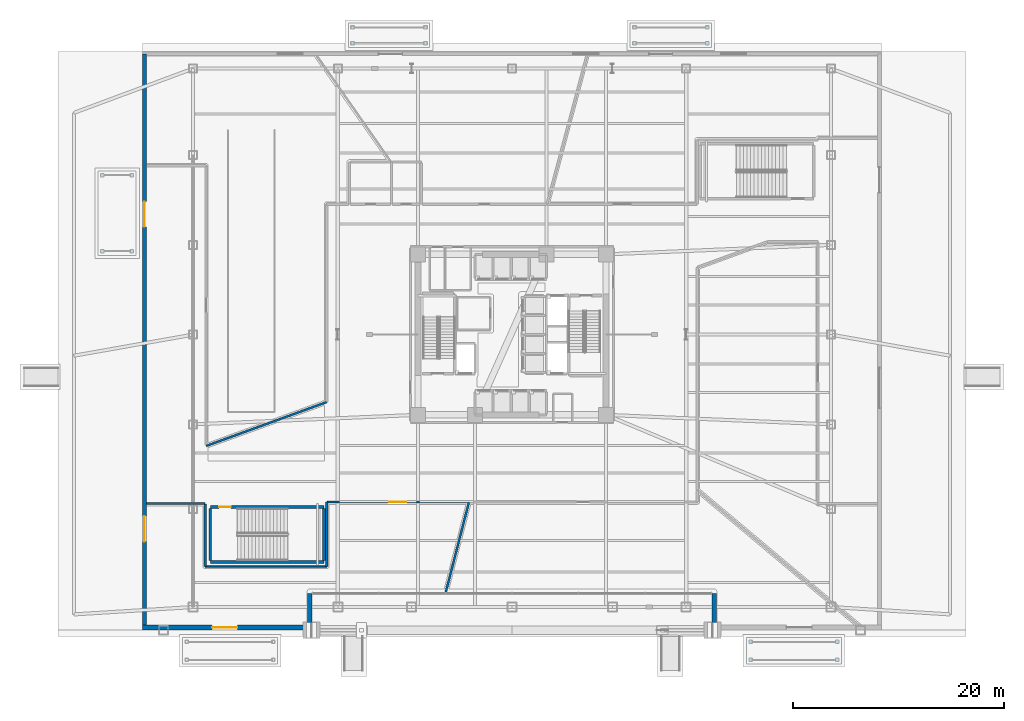
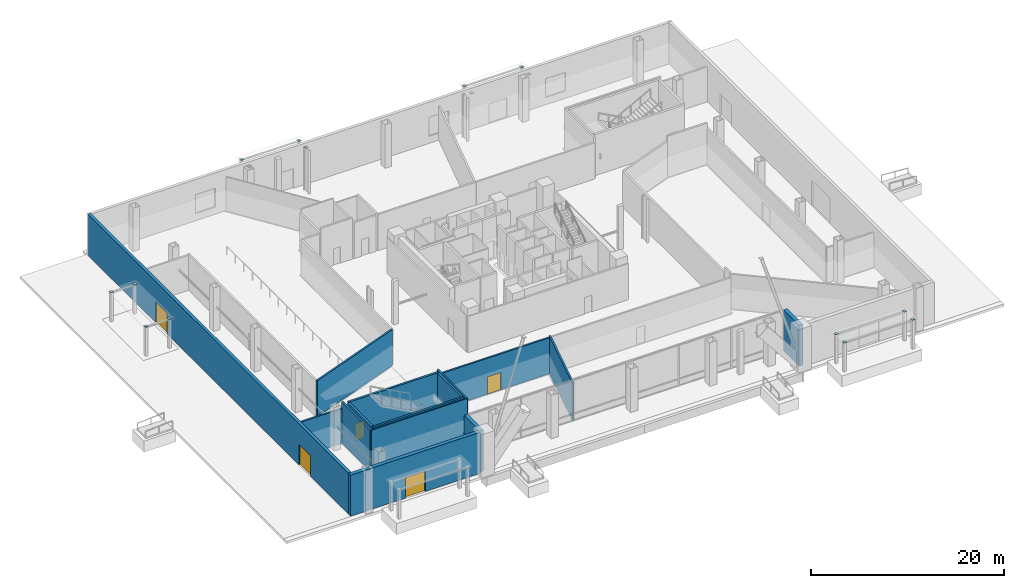
# One storey, part 14 of 27: 16 plates, 15 walls, 5 doors, 5 openings.
"""IFC4 building model written with IfcOpenShell, lengths in metres."""

from ifc_helpers import new_model, si_unit, direction, frame, frame_2d, origin, origin_2d, place, context, subcontext, project, spatial, rectangle, extrude, material, layer, layer_set, type_object, element, fill, save


model = new_model("IFC4")

# Units and contexts
model_context = context("Model", 3, precision=1e-05, world=origin(), true_north=direction((0.0, 1.0)))
body_context = subcontext(model_context, "Body", "Model", "MODEL_VIEW")
ifc_project = project(units=[si_unit("LENGTHUNIT", "METRE"), si_unit("AREAUNIT", "SQUARE_METRE"), si_unit("VOLUMEUNIT", "CUBIC_METRE"), si_unit("PLANEANGLEUNIT", "RADIAN"), si_unit("MASSUNIT", "GRAM", prefix="KILO")], contexts=[model_context])

# Site, building, storey
site_placement = place(None, origin())
site = spatial("IfcSite", under=ifc_project, at=site_placement, CompositionType="ELEMENT")
building_placement = place(site_placement, origin())
building = spatial("IfcBuilding", under=site, at=building_placement, Name="Tharavind Bronze Gate", CompositionType="ELEMENT")
storey_placement = place(building_placement, origin())
storey = spatial("IfcBuildingStorey", under=building, at=storey_placement, Name="L00", CompositionType="ELEMENT", Elevation=0.0)

# Plates
ifc_material_1 = material(Name="Steel S355", Category="steel")
ifc_layer_1 = layer(ifc_material_1, 0.02490234375)
ifc_layer_set_1 = layer_set([ifc_layer_1], Name="Steel S355")
plate_type = type_object("IfcPlateType", Name="STEEL END CAP SHEET S355 25", PredefinedType="SHEET", material=ifc_layer_set_1)
for number, where, z_axis, x_axis, name in (
    (1, (22.60009765625, -30.800048828125, 3.6875), (0.0, 0.0, 1.0), (1.0, 0.0, 0.0), "Steel end cap plate CAP-L00-CN2A"),
    (2, (30.800048828125, -30.800048828125, 3.6875), (0.0, 0.0, 1.0), (1.0, 0.0, 0.0), "Steel end cap plate CAP-L00-CN2B"),
    (3, (30.800048828125, -29.10009765625, 3.6875), (0.0, 0.0, 1.0), (1.0, 0.0, 0.0), "Steel end cap plate CAP-L00-CN2C"),
    (4, (22.60009765625, -29.10009765625, 3.6875), (0.0, 0.0, 1.0), (1.0, 0.0, 0.0), "Steel end cap plate CAP-L00-CN2D"),
    (5, (-15.10009765625, 27.60009765625, 3.6875), (0.0, 0.0, 1.0), (1.0, 0.0, 0.0), "Steel end cap plate CAP-L00-CN3A"),
    (6, (-8.199951171875, 27.60009765625, 3.6875), (0.0, 0.0, 1.0), (1.0, 0.0, 0.0), "Steel end cap plate CAP-L00-CN3B"),
    (7, (-8.199951171875, 29.10009765625, 3.6875), (0.0, 0.0, 1.0), (1.0, 0.0, 0.0), "Steel end cap plate CAP-L00-CN3C"),
    (8, (-15.10009765625, 29.10009765625, 3.6875), (0.0, 0.0, 1.0), (1.0, 0.0, 0.0), "Steel end cap plate CAP-L00-CN3D"),
    (9, (11.60009765625, 27.60009765625, 3.6875), (0.0, 0.0, 1.0), (1.0, 0.0, 0.0), "Steel end cap plate CAP-L00-CN4A"),
    (10, (18.5, 27.60009765625, 3.6875), (0.0, 0.0, 1.0), (1.0, 0.0, 0.0), "Steel end cap plate CAP-L00-CN4B"),
    (11, (18.5, 29.10009765625, 3.6875), (0.0, 0.0, 1.0), (1.0, 0.0, 0.0), "Steel end cap plate CAP-L00-CN4C"),
    (12, (11.60009765625, 29.10009765625, 3.6875), (0.0, 0.0, 1.0), (1.0, 0.0, 0.0), "Steel end cap plate CAP-L00-CN4D"),
    (13, (-38.800048828125, 7.89990234375, 3.6875), (0.0, 0.0, 1.0), (1.0, 0.0, 0.0), "Steel end cap plate CAP-L00-CN5A"),
    (14, (-36.0, 7.89990234375, 3.6875), (0.0, 0.0, 1.0), (1.0, 0.0, 0.0), "Steel end cap plate CAP-L00-CN5B"),
    (15, (-36.0, 15.10009765625, 3.6875), (0.0, 0.0, 1.0), (1.0, 0.0, 0.0), "Steel end cap plate CAP-L00-CN5C"),
    (16, (-38.800048828125, 15.10009765625, 3.6875), (0.0, 0.0, 1.0), (1.0, 0.0, 0.0), "Steel end cap plate CAP-L00-CN5D"),
):
    element("IfcPlate", number, at=place(storey_placement, frame(where, z_axis=z_axis, x_axis=x_axis)), inside=storey, type_object=plate_type, Name=name, PredefinedType="SHEET", context=body_context, shape_type="SweptSolid", body=[
        extrude(rectangle(XDim=0.344970703125, YDim=0.344970703125, at=origin_2d()), origin(), (0.0, 0.0, 1.0), 0.02490234375),
    ])

# Wall, openings, doors
ifc_material_2 = material(Name="Concrete C40/50", Category="concrete")
ifc_layer_2 = layer(ifc_material_2, 0.35009765625)
ifc_layer_set_2 = layer_set([ifc_layer_2], Name="Concrete C40/50")
wall_type_1 = type_object("IfcWallType", Name="EXTERIOR SPANDREL WALL 350", PredefinedType="STANDARD", material=ifc_layer_set_2)
wall_1_placement = place(storey_placement, frame((-34.800048828125, 26.60009765625, 0.0), z_axis=(0.0, 0.0, 1.0), x_axis=(0.0, -1.0, 0.0)))
wall_1 = element("IfcWall", 17, at=wall_1_placement, inside=storey, type_object=wall_type_1, Name="L00 podium west facade wall", PredefinedType="STANDARD", context=body_context, shape_type="SweptSolid", body=[
    extrude(rectangle(XDim=54.35009765625, YDim=0.35009765625, at=frame_2d((27.175048828125, 0.0))), origin(), (0.0, 0.0, 1.0), 5.219970703125),
])
opening_1_placement = place(wall_1_placement, frame((14.0, 0.0, 0.0)))
opening_1 = element("IfcOpeningElement", 18, at=opening_1_placement, cuts=wall_1, Name="Opening ED01", PredefinedType="OPENING", context=body_context, shape_type="SweptSolid", body=[
    extrude(rectangle(XDim=2.39990234375, YDim=2.60009765625, at=frame_2d((1.199951171875, 1.300048828125))), frame((0.0, 0.185048828125, 0.0), z_axis=(0.0, -1.0, 0.0), x_axis=(1.0, 0.0, 0.0)), (0.0, 0.0, 1.0), 0.37009765625),
])
opening_2_placement = place(wall_1_placement, frame((43.800048828125, 0.0, 0.0)))
opening_2 = element("IfcOpeningElement", 19, at=opening_2_placement, cuts=wall_1, Name="Opening ED01", PredefinedType="OPENING", context=body_context, shape_type="SweptSolid", body=[
    extrude(rectangle(XDim=2.39990234375, YDim=2.60009765625, at=frame_2d((1.199951171875, 1.300048828125))), frame((0.0, 0.185048828125, 0.0), z_axis=(0.0, -1.0, 0.0), x_axis=(1.0, 0.0, 0.0)), (0.0, 0.0, 1.0), 0.37009765625),
])
ifc_material_3 = material(Name="Bronze Aluminium & Toughened Glass", Category="aluminium")
door_type_1 = type_object("IfcDoorType", Name="BRONZE DOUBLE ENTRANCE DOOR 2400X2600", OperationType="DOUBLE_DOOR_DOUBLE_SWING", PredefinedType="DOOR", material=ifc_material_3)
door_1_placement = place(opening_1_placement, frame((2.39990234375, 0.0, 0.0), z_axis=(0.0, 0.0, 1.0), x_axis=(-1.0, 0.0, 0.0)))
door_1 = element("IfcDoor", 20, at=door_1_placement, inside=storey, type_object=door_type_1, Name="West plaza retail entrance door", OperationType="DOUBLE_DOOR_DOUBLE_SWING", OverallHeight=2.60009765625, OverallWidth=2.39990234375, PredefinedType="DOOR", context=body_context, shape_type="SweptSolid", body=[
    extrude(rectangle(XDim=2.39990234375, YDim=2.60009765625, at=frame_2d((1.199951171875, 1.300048828125))), frame((0.0, 0.02490234375, 0.0), z_axis=(0.0, -1.0, 0.0), x_axis=(1.0, 0.0, 0.0)), (0.0, 0.0, 1.0), 0.050048828125),
])
fill(opening_1, door_1)
door_2_placement = place(opening_2_placement, frame((2.39990234375, 0.0, 0.0), z_axis=(0.0, 0.0, 1.0), x_axis=(-1.0, 0.0, 0.0)))
door_2 = element("IfcDoor", 21, at=door_2_placement, inside=storey, type_object=door_type_1, Name="West stair ST3 final discharge exit door", OperationType="DOUBLE_DOOR_DOUBLE_SWING", OverallHeight=2.60009765625, OverallWidth=2.39990234375, PredefinedType="DOOR", context=body_context, shape_type="SweptSolid", body=[
    extrude(rectangle(XDim=2.39990234375, YDim=2.60009765625, at=frame_2d((1.199951171875, 1.300048828125))), frame((0.0, 0.02490234375, 0.0), z_axis=(0.0, -1.0, 0.0), x_axis=(1.0, 0.0, 0.0)), (0.0, 0.0, 1.0), 0.050048828125),
])
fill(opening_2, door_2)

# Wall, opening, door
ifc_material_4 = material(Name="Concrete C50/60", Category="concrete")
ifc_layer_3 = layer(ifc_material_4, 0.449951171875)
ifc_layer_set_3 = layer_set([ifc_layer_3], Name="Concrete C50/60")
wall_type_2 = type_object("IfcWallType", Name="EXTERIOR SPANDREL WALL 450", PredefinedType="STANDARD", material=ifc_layer_set_3)
wall_2_placement = place(storey_placement, frame((-35.0, -27.75, 0.0), z_axis=(0.0, 0.0, 1.0), x_axis=(1.0, 0.0, 0.0)))
wall_2 = element("IfcWall", 22, at=wall_2_placement, inside=storey, type_object=wall_type_2, Name="L00 south portal west flank wall", PredefinedType="STANDARD", context=body_context, shape_type="SweptSolid", body=[
    extrude(rectangle(XDim=15.60009765625, YDim=0.449951171875, at=frame_2d((7.800048828125, 0.0))), origin(), (0.0, 0.0, 1.0), 5.219970703125),
])
opening_3_placement = place(wall_2_placement, frame((6.60009765625, 0.0, 0.0)))
opening_3 = element("IfcOpeningElement", 23, at=opening_3_placement, cuts=wall_2, Name="Opening ED01", PredefinedType="OPENING", context=body_context, shape_type="SweptSolid", body=[
    extrude(rectangle(XDim=2.39990234375, YDim=2.60009765625, at=frame_2d((1.199951171875, 1.300048828125))), frame((0.0, 0.23509765625, 0.0), z_axis=(0.0, -1.0, 0.0), x_axis=(1.0, 0.0, 0.0)), (0.0, 0.0, 1.0), 0.469951171875),
])
door_3_placement = place(opening_3_placement, frame((2.39990234375, 0.0, 0.0), z_axis=(0.0, 0.0, 1.0), x_axis=(-1.0, 0.0, 0.0)))
door_3 = element("IfcDoor", 24, at=door_3_placement, inside=storey, type_object=door_type_1, Name="South west arrival portal entrance door", OperationType="DOUBLE_DOOR_DOUBLE_SWING", OverallHeight=2.60009765625, OverallWidth=2.39990234375, PredefinedType="DOOR", context=body_context, shape_type="SweptSolid", body=[
    extrude(rectangle(XDim=2.39990234375, YDim=2.60009765625, at=frame_2d((1.199951171875, 1.300048828125))), frame((0.0, 0.02490234375, 0.0), z_axis=(0.0, -1.0, 0.0), x_axis=(1.0, 0.0, 0.0)), (0.0, 0.0, 1.0), 0.050048828125),
])
fill(opening_3, door_3)

# Walls
for number, where, z_axis, x_axis, name in (
    (25, (-19.14990234375, -27.75, 0.0), (0.0, 0.0, 1.0), (0.0, 1.0, 0.0), "L00 south arch west reveal wall"),
    (26, (19.14990234375, -24.5, 0.0), (0.0, 0.0, 1.0), (0.0, -1.0, 0.0), "L00 south arch east reveal wall"),
):
    element("IfcWall", number, at=place(storey_placement, frame(where, z_axis=z_axis, x_axis=x_axis)), inside=storey, type_object=wall_type_2, Name=name, PredefinedType="STANDARD", context=body_context, shape_type="SweptSolid", body=[
        extrude(rectangle(XDim=3.25, YDim=0.449951171875, at=frame_2d((1.625, 0.0))), origin(), (0.0, 0.0, 1.0), 5.219970703125),
    ])
ifc_material_5 = material(Name="Aerated Concrete Block", Category="concrete")
ifc_layer_4 = layer(ifc_material_5, 0.199951171875)
ifc_layer_set_4 = layer_set([ifc_layer_4], Name="Aerated Concrete Block")
wall_type_3 = type_object("IfcWallType", Name="FIRE RATED PARTITION 200", PredefinedType="PARTITIONING", material=ifc_layer_set_4)
wall_3_placement = place(storey_placement, frame((-17.56640625, -6.393798828125, 0.0), z_axis=(0.0, 0.0, 1.0), x_axis=(-0.93969408329, -0.342016125102, 0.0)))
element("IfcWall", 27, at=wall_3_placement, inside=storey, type_object=wall_type_3, Name="L00 North Concourse Cafe partition", PredefinedType="PARTITIONING", context=body_context, shape_type="SweptSolid", body=[
    extrude(rectangle(XDim=12.131591796875, YDim=0.199951171875, at=frame_2d((6.06591796875, 0.0))), origin(), (0.0, 0.0, 1.0), 4.56494140625),
])
wall_4_placement = place(storey_placement, frame((-17.550048828125, -21.949462890625, 0.0), z_axis=(0.0, 0.0, 1.0), x_axis=(0.0, 1.0, 0.0)))
element("IfcWall", 28, at=wall_4_placement, inside=storey, type_object=wall_type_3, Name="L00 West Arcade Boutique Shop partition", PredefinedType="PARTITIONING", context=body_context, shape_type="SweptSolid", body=[
    extrude(rectangle(XDim=6.074462890625, YDim=0.199951171875, at=frame_2d((3.037109375, 0.0))), origin(), (0.0, 0.0, 1.0), 5.219970703125),
])

# Wall, opening, door
wall_5_placement = place(storey_placement, frame((-17.52490234375, -15.85009765625, 0.0), z_axis=(0.0, 0.0, 1.0), x_axis=(1.0, 0.0, 0.0)))
wall_5 = element("IfcWall", 29, at=wall_5_placement, inside=storey, type_object=wall_type_3, Name="L00 West Arcade Boutique Shop partition", PredefinedType="PARTITIONING", context=body_context, shape_type="SweptSolid", body=[
    extrude(rectangle(XDim=13.417236328125, YDim=0.199951171875, at=frame_2d((6.70849609375, 0.0))), origin(), (0.0, 0.0, 1.0), 4.56494140625),
])
opening_4_placement = place(wall_5_placement, frame((5.908935546875, 0.0, 0.0)))
opening_4 = element("IfcOpeningElement", 30, at=opening_4_placement, cuts=wall_5, Name="Opening ID02", PredefinedType="OPENING", context=body_context, shape_type="SweptSolid", body=[
    extrude(rectangle(XDim=1.60009765625, YDim=2.199951171875, at=frame_2d((0.800048828125, 1.10009765625))), frame((0.0, 0.11009765625, 0.0), z_axis=(0.0, -1.0, 0.0), x_axis=(1.0, 0.0, 0.0)), (0.0, 0.0, 1.0), 0.219951171875),
])
ifc_material_6 = material(Name="Fire-Rated Bronze Steel", Category="steel")
door_type_2 = type_object("IfcDoorType", Name="LOBBY DOUBLE FIRE DOOR 1600X2200", OperationType="DOUBLE_DOOR_SINGLE_SWING", PredefinedType="DOOR", material=ifc_material_6)
door_4_placement = place(opening_4_placement, frame((1.60009765625, 0.0, 0.0), z_axis=(0.0, 0.0, 1.0), x_axis=(-1.0, 0.0, 0.0)))
door_4 = element("IfcDoor", 31, at=door_4_placement, inside=storey, type_object=door_type_2, Name="L00 West Arcade Boutique Shop door", OperationType="DOUBLE_DOOR_SINGLE_SWING", OverallHeight=2.199951171875, OverallWidth=1.60009765625, PredefinedType="DOOR", context=body_context, shape_type="SweptSolid", body=[
    extrude(rectangle(XDim=1.60009765625, YDim=2.199951171875, at=frame_2d((0.800048828125, 1.10009765625))), frame((0.0, 0.02490234375, 0.0), z_axis=(0.0, -1.0, 0.0), x_axis=(1.0, 0.0, 0.0)), (0.0, 0.0, 1.0), 0.050048828125),
])
fill(opening_4, door_4)

# Walls
wall_6_placement = place(storey_placement, frame((-4.08349609375, -15.881103515625, 0.0), z_axis=(0.0, 0.0, 1.0), x_axis=(-0.249017512962, -0.968498982053, 0.0)))
element("IfcWall", 32, at=wall_6_placement, inside=storey, type_object=wall_type_3, Name="L00 West Arcade Boutique Shop partition", PredefinedType="PARTITIONING", context=body_context, shape_type="SweptSolid", body=[
    extrude(rectangle(XDim=8.899169921875, YDim=0.199951171875, at=frame_2d((4.44970703125, 0.0))), origin(), (0.0, 0.0, 1.0), 4.764892578125),
])
wall_7_placement = place(storey_placement, frame((-34.6201171875, -16.0, 0.0), z_axis=(0.0, 0.0, 1.0), x_axis=(1.0, 0.0, 0.0)))
element("IfcWall", 33, at=wall_7_placement, inside=storey, type_object=wall_type_3, Name="L00 West Arcade Boutique Shop partition", PredefinedType="PARTITIONING", context=body_context, shape_type="SweptSolid", body=[
    extrude(rectangle(XDim=5.545166015625, YDim=0.199951171875, at=frame_2d((2.7724609375, 0.0))), origin(), (0.0, 0.0, 1.0), 4.4150390625),
])
wall_8_placement = place(storey_placement, frame((-29.050048828125, -16.02490234375, 0.0), z_axis=(0.0, 0.0, 1.0), x_axis=(0.0, -1.0, 0.0)))
element("IfcWall", 34, at=wall_8_placement, inside=storey, type_object=wall_type_3, Name="L00 West Arcade Boutique Shop partition", PredefinedType="PARTITIONING", context=body_context, shape_type="SweptSolid", body=[
    extrude(rectangle(XDim=5.924560546875, YDim=0.199951171875, at=frame_2d((2.96240234375, 0.0))), origin(), (0.0, 0.0, 1.0), 5.219970703125),
])
ifc_material_7 = material(Name="Metal Stud Gypsum Partition", Category="gypsum")
ifc_layer_5 = layer(ifc_material_7, 0.1201171875)
ifc_layer_set_5 = layer_set([ifc_layer_5], Name="Metal Stud Gypsum Partition")
wall_type_4 = type_object("IfcWallType", Name="INTERIOR PARTITION WALL 120", PredefinedType="PARTITIONING", material=ifc_layer_set_5)
wall_9_placement = place(storey_placement, frame((-29.04931640625, -21.949951171875, 0.0), z_axis=(0.0, 0.0, 1.0), x_axis=(1.0, 0.0, 0.0)))
element("IfcWall", 35, at=wall_9_placement, inside=storey, type_object=wall_type_4, Name="L00 West Arcade Boutique Shop partition", PredefinedType="PARTITIONING", context=body_context, shape_type="SweptSolid", body=[
    extrude(rectangle(XDim=11.498779296875, YDim=0.1201171875, at=frame_2d((5.74951171875, 0.0))), origin(), (0.0, 0.0, 1.0), 5.219970703125),
])

# Wall, opening, door
ifc_layer_6 = layer(ifc_material_4, 0.25)
ifc_layer_set_6 = layer_set([ifc_layer_6], Name="Concrete C50/60")
wall_type_5 = type_object("IfcWallType", Name="RC CORE SHEAR WALL 250", PredefinedType="SHEAR", material=ifc_layer_set_6)
wall_10_placement = place(storey_placement, frame((-28.580078125, -16.320068359375, 0.0), z_axis=(0.0, 0.0, 1.0), x_axis=(1.0, 0.0, 0.0)))
wall_10 = element("IfcWall", 36, at=wall_10_placement, inside=storey, type_object=wall_type_5, Name="L00 ST3 north wall", PredefinedType="SHEAR", context=body_context, shape_type="SweptSolid", body=[
    extrude(rectangle(XDim=10.780029296875, YDim=0.25, at=frame_2d((5.39013671875, 0.0))), origin(), (0.0, 0.0, 1.0), 5.219970703125),
])
opening_5_placement = place(wall_10_placement, frame((0.85009765625, 0.0, 0.0)))
opening_5 = element("IfcOpeningElement", 37, at=opening_5_placement, cuts=wall_10, Name="Opening ID01", PredefinedType="OPENING", context=body_context, shape_type="SweptSolid", body=[
    extrude(rectangle(XDim=1.10009765625, YDim=2.14990234375, at=frame_2d((0.550048828125, 1.074951171875))), frame((0.0, 0.135, 0.0), z_axis=(0.0, -1.0, 0.0), x_axis=(1.0, 0.0, 0.0)), (0.0, 0.0, 1.0), 0.27),
])
ifc_material_8 = material(Name="Fire-Rated Steel", Category="steel")
door_type_3 = type_object("IfcDoorType", Name="STAIR CORE FIRE DOOR 1100X2150", OperationType="SINGLE_SWING_LEFT", PredefinedType="DOOR", material=ifc_material_8)
door_5_placement = place(opening_5_placement, frame((1.10009765625, 0.0, 0.0), z_axis=(0.0, 0.0, 1.0), x_axis=(-1.0, 0.0, 0.0)))
door_5 = element("IfcDoor", 38, at=door_5_placement, inside=storey, type_object=door_type_3, Name="L00 podium stair ST3 fire door", OperationType="SINGLE_SWING_LEFT", OverallHeight=2.14990234375, OverallWidth=1.10009765625, PredefinedType="DOOR", context=body_context, shape_type="SweptSolid", body=[
    extrude(rectangle(XDim=1.10009765625, YDim=2.14990234375, at=frame_2d((0.550048828125, 1.074951171875))), frame((0.0, 0.02490234375, 0.0), z_axis=(0.0, -1.0, 0.0), x_axis=(1.0, 0.0, 0.0)), (0.0, 0.0, 1.0), 0.050048828125),
])
fill(opening_5, door_5)

# Walls
wall_11_placement = place(storey_placement, frame((-28.580078125, -21.530029296875, 0.0), z_axis=(0.0, 0.0, 1.0), x_axis=(1.0, 0.0, 0.0)))
element("IfcWall", 39, at=wall_11_placement, inside=storey, type_object=wall_type_5, Name="L00 ST3 south wall", PredefinedType="SHEAR", context=body_context, shape_type="SweptSolid", body=[
    extrude(rectangle(XDim=10.780029296875, YDim=0.25, at=frame_2d((5.39013671875, 0.0))), origin(), (0.0, 0.0, 1.0), 5.219970703125),
])
for number, where, z_axis, x_axis, name in (
    (40, (-28.580078125, -21.3798828125, 0.0), (0.0, 0.0, 1.0), (0.0, 1.0, 0.0), "L00 ST3 west wall"),
    (41, (-17.800048828125, -21.3798828125, 0.0), (0.0, 0.0, 1.0), (0.0, 1.0, 0.0), "L00 ST3 east wall"),
):
    element("IfcWall", number, at=place(storey_placement, frame(where, z_axis=z_axis, x_axis=x_axis)), inside=storey, type_object=wall_type_5, Name=name, PredefinedType="SHEAR", context=body_context, shape_type="SweptSolid", body=[
        extrude(rectangle(XDim=4.909912109375, YDim=0.25, at=frame_2d((2.455078125, 0.0))), origin(), (0.0, 0.0, 1.0), 5.219970703125),
    ])

save(model, "model.ifc")
